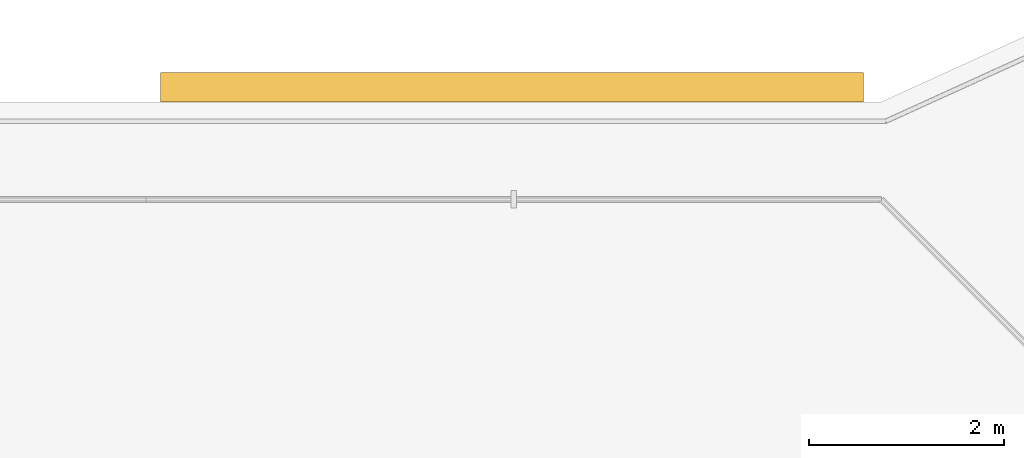
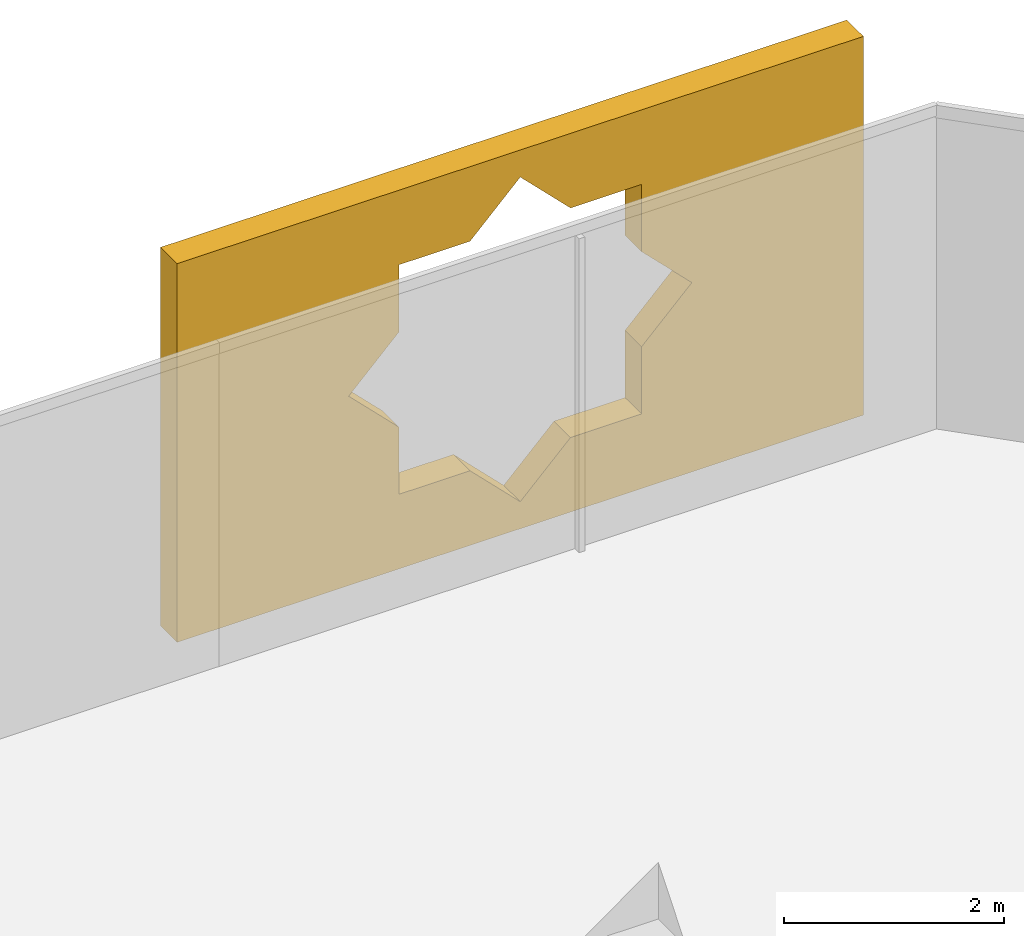
# One storey, part 25 of 25: 1 covering.
"""IFC4 building model written with IfcOpenShell, lengths in metres."""

from ifc_helpers import new_model, si_unit, direction, frame, origin, place, context, subcontext, project, spatial, polyline, outline, extrude, material, material_profile, profile_set, type_object, element, save


model = new_model("IFC4")

# Units and contexts
model_context = context("Model", 3, precision=1e-05, world=origin(), true_north=direction((0.0, 1.0)))
body_context = subcontext(model_context, "Body", "Model", "MODEL_VIEW")
ifc_project = project(units=[si_unit("LENGTHUNIT", "METRE"), si_unit("AREAUNIT", "SQUARE_METRE"), si_unit("VOLUMEUNIT", "CUBIC_METRE"), si_unit("PLANEANGLEUNIT", "RADIAN"), si_unit("MASSUNIT", "GRAM", prefix="KILO")], contexts=[model_context])

# Site, building, storey
site_placement = place(None, origin())
site = spatial("IfcSite", under=ifc_project, at=site_placement, CompositionType="ELEMENT")
building_placement = place(site_placement, origin())
building = spatial("IfcBuilding", under=site, at=building_placement, Name="Kawkab Arch Medical Tower", CompositionType="ELEMENT")
storey_placement = place(building_placement, frame((0.0, 0.0, 98.800048828125)))
storey = spatial("IfcBuildingStorey", under=building, at=storey_placement, Name="L22", CompositionType="ELEMENT", Elevation=98.800048828125)

# Covering
ifc_material = material(Name="Bronze anodised aluminium mashrabiya panel, eight-point star pattern", Category="aluminium")
ifc_material_profile = material_profile(ifc_material, outline(polyline([(-3.60009765625, -2.10009765625), (3.60009765625, -2.10009765625), (3.60009765625, 2.10009765625), (-3.60009765625, 2.10009765625), (-3.60009765625, -2.10009765625)]), holes=[polyline([(1.800048828125, 0.0), (1.272705078125, 0.527099609375), (1.272705078125, 1.272705078125), (0.527099609375, 1.272705078125), (0.0, 1.800048828125), (-0.527099609375, 1.272705078125), (-1.272705078125, 1.272705078125), (-1.272705078125, 0.527099609375), (-1.800048828125, 0.0), (-1.272705078125, -0.527099609375), (-1.272705078125, -1.272705078125), (-0.527099609375, -1.272705078125), (0.0, -1.800048828125), (0.527099609375, -1.272705078125), (1.272705078125, -1.272705078125), (1.272705078125, -0.527099609375), (1.800048828125, 0.0)])]), Name="Mashrabiya panel 7200x4200")
ifc_profile_set = profile_set([ifc_material_profile], Name="Bronze anodised aluminium mashrabiya panel, eight-point star pattern")
covering_type = type_object("IfcCoveringType", Name="Mashrabiya panel 7200 x 4200", PredefinedType="USERDEFINED", material=ifc_profile_set)
covering_placement = place(storey_placement, frame((70.015380859375, 7.0, 1.699951171875), z_axis=(0.0, 1.0, 0.0), x_axis=(-1.0, 0.0, 0.0)))
element("IfcCovering", 1, at=covering_placement, inside=storey, type_object=covering_type, Name="Mashrabiya panel L22.LOG-01-01.8", ObjectType="SCREEN", PredefinedType="USERDEFINED", context=body_context, shape_type="SweptSolid", body=[
    extrude(outline(polyline([(-3.60009765625, -2.10009765625), (3.60009765625, -2.10009765625), (3.60009765625, 2.10009765625), (-3.60009765625, 2.10009765625), (-3.60009765625, -2.10009765625)]), holes=[polyline([(1.800048828125, 0.0), (1.272705078125, 0.527099609375), (1.272705078125, 1.272705078125), (0.527099609375, 1.272705078125), (0.0, 1.800048828125), (-0.527099609375, 1.272705078125), (-1.272705078125, 1.272705078125), (-1.272705078125, 0.527099609375), (-1.800048828125, 0.0), (-1.272705078125, -0.527099609375), (-1.272705078125, -1.272705078125), (-0.527099609375, -1.272705078125), (0.0, -1.800048828125), (0.527099609375, -1.272705078125), (1.272705078125, -1.272705078125), (1.272705078125, -0.527099609375), (1.800048828125, 0.0)])]), origin(), (0.0, 0.0, 1.0), 0.300048828125),
])

save(model, "model.ifc")
